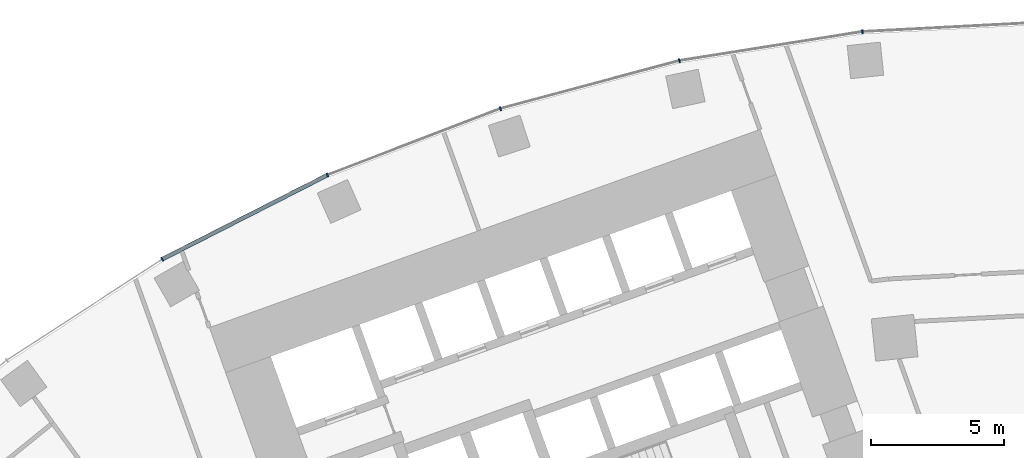
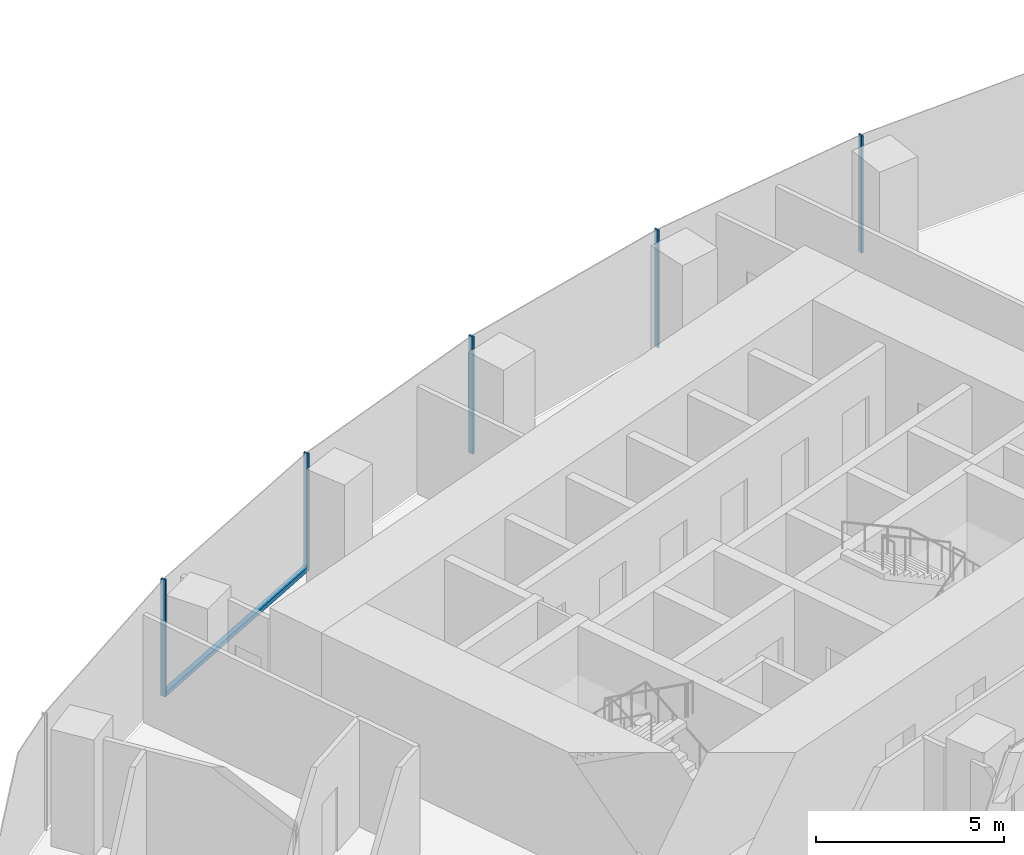
# One storey, part 6 of 21: 6 members, 1 element without a shape of its own.
"""IFC4 building model written with IfcOpenShell, lengths in metres."""

from ifc_helpers import new_model, si_unit, direction, frame, origin, origin_2d, place, context, subcontext, project, spatial, rectangle, extrude, material, layer, layer_set, material_profile, profile_set, type_object, element, aggregate, save


model = new_model("IFC4")

# Units and contexts
model_context = context("Model", 3, precision=1e-05, world=origin(), true_north=direction((0.0, 1.0)))
body_context = subcontext(model_context, "Body", "Model", "MODEL_VIEW")
ifc_project = project(units=[si_unit("LENGTHUNIT", "METRE"), si_unit("AREAUNIT", "SQUARE_METRE"), si_unit("VOLUMEUNIT", "CUBIC_METRE"), si_unit("PLANEANGLEUNIT", "RADIAN"), si_unit("MASSUNIT", "GRAM", prefix="KILO")], contexts=[model_context])

# Site, building, storey
site_placement = place(None, origin())
site = spatial("IfcSite", under=ifc_project, at=site_placement, CompositionType="ELEMENT")
building_placement = place(site_placement, origin())
building = spatial("IfcBuilding", under=site, at=building_placement, Name="Stone Belt Terrace Tower", CompositionType="ELEMENT")
storey_placement = place(building_placement, frame((0.0, 0.0, 71.800048828125)))
storey = spatial("IfcBuildingStorey", under=building, at=storey_placement, Name="L17", CompositionType="ELEMENT", Elevation=71.800048828125)

# Curtain wall, members
ifc_material = material(Name="Aluminium 6063-T6 anodised frame", Category="aluminium")
ifc_layer = layer(ifc_material, 0.14990234375)
ifc_layer_set = layer_set([ifc_layer], Name="CW-A unitised convex-face curtain wall")
curtain_wall_type = type_object("IfcCurtainWallType", Name="CW-A unitised convex-face curtain wall", PredefinedType="NOTDEFINED", material=ifc_layer_set)
curtain_wall_placement = place(storey_placement, origin())
curtain_wall = element("IfcCurtainWall", 1, at=curtain_wall_placement, inside=storey, type_object=curtain_wall_type, Name="CW-A convex face L17", PredefinedType="NOTDEFINED")
ifc_material_profile_1 = material_profile(ifc_material, rectangle(XDim=0.14990234375, YDim=0.06005859375, at=origin_2d()), Name="Aluminium 6063-T6 60x150")
ifc_profile_set_1 = profile_set([ifc_material_profile_1], Name="Aluminium 6063-T6 anodised frame")
member_type_1 = type_object("IfcMemberType", Name="CW-A mullion 60 x 150", PredefinedType="MULLION", material=ifc_profile_set_1)
member_1_placement = place(storey_placement, frame((-6.958984375, 66.21044921875, 0.0), z_axis=(0.0, 0.0, 1.0), x_axis=(0.104528463268, -0.994521895368, 0.0)))
member_1 = element("IfcMember", 2, at=member_1_placement, type_object=member_type_1, Name="CW-A mullion 10", PredefinedType="MULLION", context=body_context, shape_type="SweptSolid", body=[
    extrude(rectangle(XDim=0.14990234375, YDim=0.06005859375, at=origin_2d()), origin(), (0.0, 0.0, 1.0), 3.800048828125),
])
member_2_placement = place(storey_placement, frame((-13.841796875, 65.120361328125, 0.0), z_axis=(0.0, 0.0, 1.0), x_axis=(0.207911690818, -0.978147600734, 0.0)))
member_2 = element("IfcMember", 3, at=member_2_placement, type_object=member_type_1, Name="CW-A mullion 11", PredefinedType="MULLION", context=body_context, shape_type="SweptSolid", body=[
    extrude(rectangle(XDim=0.14990234375, YDim=0.06005859375, at=origin_2d()), origin(), (0.0, 0.0, 1.0), 3.800048828125),
])
member_3_placement = place(storey_placement, frame((-20.57275390625, 63.316650390625, 0.0), z_axis=(0.0, 0.0, 1.0), x_axis=(0.309016994375, -0.951056516295, 0.0)))
member_3 = element("IfcMember", 4, at=member_3_placement, type_object=member_type_1, Name="CW-A mullion 12", PredefinedType="MULLION", context=body_context, shape_type="SweptSolid", body=[
    extrude(rectangle(XDim=0.14990234375, YDim=0.06005859375, at=origin_2d()), origin(), (0.0, 0.0, 1.0), 3.800048828125),
])
member_4_placement = place(storey_placement, frame((-27.07861328125, 60.8193359375, 0.0), z_axis=(0.0, 0.0, 1.0), x_axis=(0.406736643076, -0.913545457643, 0.0)))
member_4 = element("IfcMember", 5, at=member_4_placement, type_object=member_type_1, Name="CW-A mullion 13", PredefinedType="MULLION", context=body_context, shape_type="SweptSolid", body=[
    extrude(rectangle(XDim=0.14990234375, YDim=0.06005859375, at=origin_2d()), origin(), (0.0, 0.0, 1.0), 3.800048828125),
])
member_5_placement = place(storey_placement, frame((-33.28759765625, 57.65576171875, 0.0), z_axis=(0.0, 0.0, 1.0), x_axis=(0.5, -0.866025403784, 0.0)))
member_5 = element("IfcMember", 6, at=member_5_placement, type_object=member_type_1, Name="CW-A mullion 14", PredefinedType="MULLION", context=body_context, shape_type="SweptSolid", body=[
    extrude(rectangle(XDim=0.14990234375, YDim=0.06005859375, at=origin_2d()), origin(), (0.0, 0.0, 1.0), 3.800048828125),
])
ifc_material_profile_2 = material_profile(ifc_material, rectangle(XDim=0.14990234375, YDim=0.139892578125, at=origin_2d()), Name="Aluminium 6063-T6 150x140")
ifc_profile_set_2 = profile_set([ifc_material_profile_2], Name="Aluminium 6063-T6 anodised frame")
member_type_2 = type_object("IfcMemberType", Name="CW-A transom 140 x 150", PredefinedType="USERDEFINED", material=ifc_profile_set_2)
member_6_placement = place(storey_placement, frame((-27.108642578125, 60.803955078125, 0.070068359375), z_axis=(-0.891012226264, -0.453979308613, 0.0), x_axis=(0.453979308613, -0.891012226264, 0.0)))
member_6 = element("IfcMember", 7, at=member_6_placement, type_object=member_type_2, Name="CW-A transom 13.1", ObjectType="TRANSOM", PredefinedType="USERDEFINED", context=body_context, shape_type="SweptSolid", body=[
    extrude(rectangle(XDim=0.14990234375, YDim=0.139892578125, at=origin_2d()), origin(), (0.0, 0.0, 1.0), 6.90087890625),
])
aggregate(curtain_wall, [member_1, member_2, member_3, member_4, member_5, member_6])

save(model, "model.ifc")
